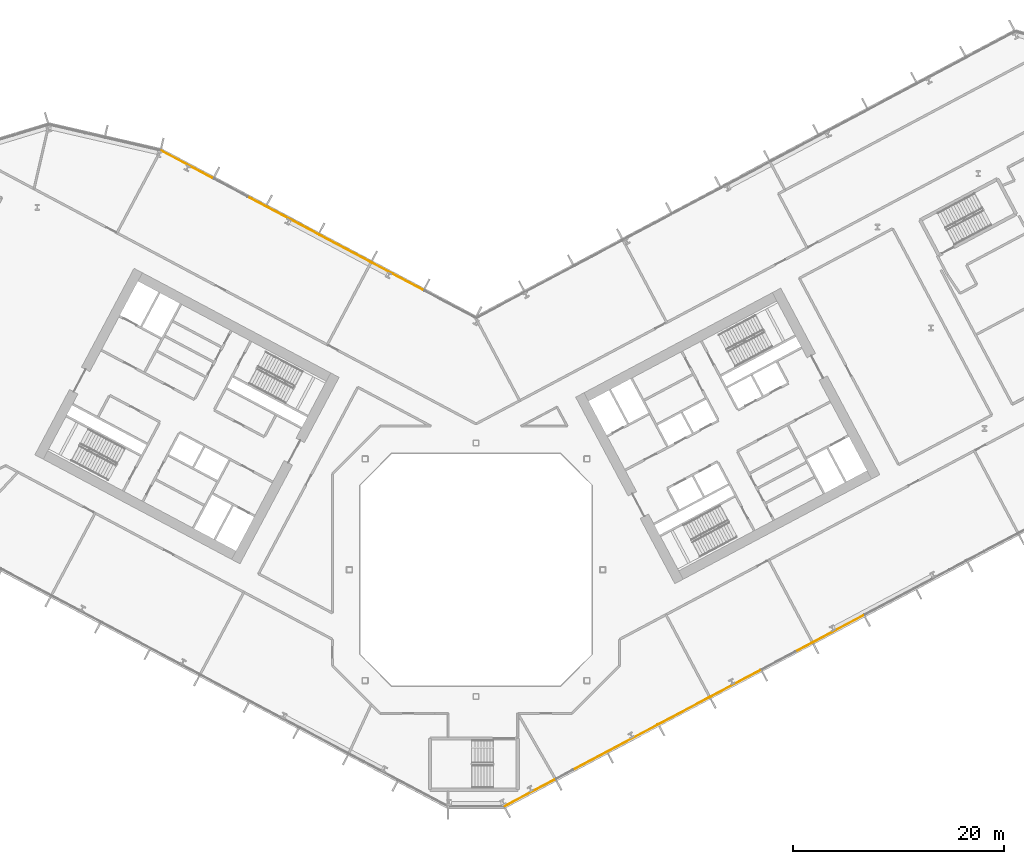
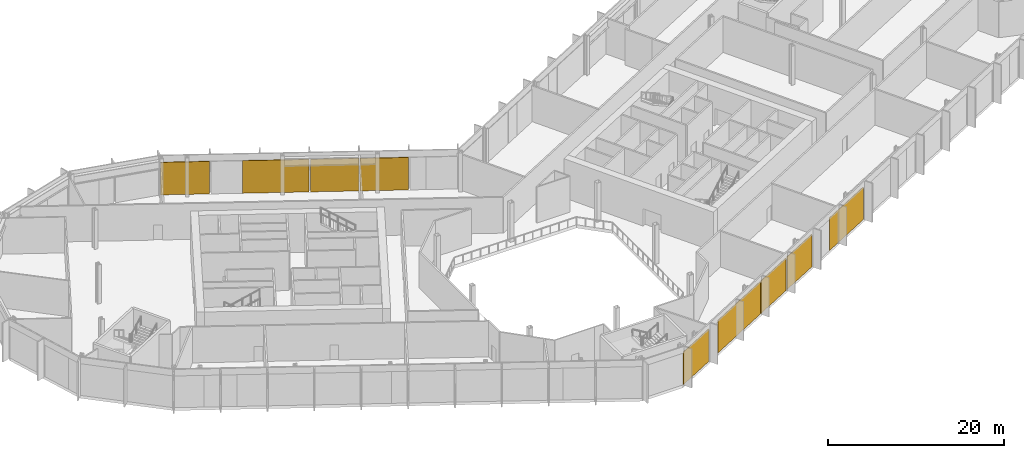
# One storey, part 26 of 31: 9 coverings, 2 elements without a shape of their own.
"""IFC4 building model written with IfcOpenShell, lengths in metres."""

from ifc_helpers import new_model, si_unit, direction, frame, origin, origin_2d, place, context, subcontext, project, spatial, rectangle, extrude, material, layer, layer_set, type_object, element, aggregate, save


model = new_model("IFC4")

# Units and contexts
model_context = context("Model", 3, precision=1e-05, world=origin(), true_north=direction((0.0, 1.0)))
body_context = subcontext(model_context, "Body", "Model", "MODEL_VIEW")
ifc_project = project(units=[si_unit("LENGTHUNIT", "METRE"), si_unit("AREAUNIT", "SQUARE_METRE"), si_unit("VOLUMEUNIT", "CUBIC_METRE"), si_unit("PLANEANGLEUNIT", "RADIAN"), si_unit("MASSUNIT", "GRAM", prefix="KILO")], contexts=[model_context])

# Site, building, storey
site_placement = place(None, origin())
site = spatial("IfcSite", under=ifc_project, at=site_placement, CompositionType="ELEMENT")
building_placement = place(site_placement, origin())
building = spatial("IfcBuilding", under=site, at=building_placement, Name="Cormorant Relay Tower", CompositionType="ELEMENT")
storey_placement = place(building_placement, frame((0.0, 0.0, 33.800048828125)))
storey = spatial("IfcBuildingStorey", under=building, at=storey_placement, Name="L06", CompositionType="ELEMENT", Elevation=33.800048828125)

# Curtain wall, coverings
ifc_material_1 = material(Name="Aluminium 6063-T6 anodised bronze", Category="aluminium")
ifc_layer_1 = layer(ifc_material_1, 0.235107421875)
ifc_layer_set_1 = layer_set([ifc_layer_1], Name="CW6 data hall curtain wall with mineral wool panels")
curtain_wall_type = type_object("IfcCurtainWallType", Name="CW6 data hall curtain wall with mineral wool panels", PredefinedType="NOTDEFINED", material=ifc_layer_set_1)
curtain_wall_1_placement = place(storey_placement, origin())
curtain_wall_1 = element("IfcCurtainWall", 1, at=curtain_wall_1_placement, inside=storey, type_object=curtain_wall_type, Name="CW6 curtain wall 2", PredefinedType="NOTDEFINED")
ifc_material_2 = material(Name="Mineral wool cored anodised bronze aluminium cassette panel", Category="aluminium")
ifc_layer_2 = layer(ifc_material_2, 0.074951171875)
ifc_layer_set_2 = layer_set([ifc_layer_2], Name="CW6 mineral wool cassette panel 75")
covering_type = type_object("IfcCoveringType", Name="CW6 mineral wool cassette panel 75", PredefinedType="CLADDING", material=ifc_layer_set_2)
covering_1_placement = place(storey_placement, frame((5.099853515625, -21.11474609375, 0.0), z_axis=(0.0, 0.0, 1.0), x_axis=(0.882947592859, 0.469471562786, 0.0)))
covering_1 = element("IfcCovering", 2, at=covering_1_placement, type_object=covering_type, Name="CW6 panel S00", PredefinedType="CLADDING", context=body_context, shape_type="SweptSolid", body=[
    extrude(rectangle(XDim=5.36181640625, YDim=0.074951171875, at=origin_2d()), origin(), (0.0, 0.0, 1.0), 4.5),
])
covering_2_placement = place(storey_placement, frame((13.1943359375, -16.810791015625, 0.0), z_axis=(0.0, 0.0, 1.0), x_axis=(0.882947592859, 0.469471562786, 0.0)))
covering_2 = element("IfcCovering", 3, at=covering_2_placement, type_object=covering_type, Name="CW6 panel S02", PredefinedType="CLADDING", context=body_context, shape_type="SweptSolid", body=[
    extrude(rectangle(XDim=9.07373046875, YDim=0.074951171875, at=origin_2d()), origin(), (0.0, 0.0, 1.0), 4.5),
])
covering_3_placement = place(storey_placement, frame((19.69970703125, -13.351806640625, 0.0), z_axis=(0.0, 0.0, 1.0), x_axis=(0.882947592859, 0.469471562786, 0.0)))
covering_3 = element("IfcCovering", 4, at=covering_3_placement, type_object=covering_type, Name="CW6 panel S03", PredefinedType="CLADDING", context=body_context, shape_type="SweptSolid", body=[
    extrude(rectangle(XDim=5.36181640625, YDim=0.074951171875, at=origin_2d()), origin(), (0.0, 0.0, 1.0), 4.5),
])
covering_4_placement = place(storey_placement, frame((24.56640625, -10.76416015625, 0.0), z_axis=(0.0, 0.0, 1.0), x_axis=(0.882947592859, 0.469471562786, 0.0)))
covering_4 = element("IfcCovering", 5, at=covering_4_placement, type_object=covering_type, Name="CW6 panel S04", PredefinedType="CLADDING", context=body_context, shape_type="SweptSolid", body=[
    extrude(rectangle(XDim=5.36181640625, YDim=0.074951171875, at=origin_2d()), origin(), (0.0, 0.0, 1.0), 4.5),
])
covering_5_placement = place(storey_placement, frame((33.455810546875, -6.03759765625, 0.0), z_axis=(0.0, 0.0, 1.0), x_axis=(0.882947592859, 0.469471562786, 0.0)))
covering_5 = element("IfcCovering", 6, at=covering_5_placement, type_object=covering_type, Name="CW6 panel S06", PredefinedType="CLADDING", context=body_context, shape_type="SweptSolid", body=[
    extrude(rectangle(XDim=7.273681640625, YDim=0.074951171875, at=origin_2d()), origin(), (0.0, 0.0, 1.0), 4.5),
])
aggregate(curtain_wall_1, [covering_1, covering_2, covering_3, covering_4, covering_5])

curtain_wall_2_placement = place(storey_placement, origin())
curtain_wall_2 = element("IfcCurtainWall", 7, at=curtain_wall_2_placement, inside=storey, type_object=curtain_wall_type, Name="CW6 curtain wall 7", PredefinedType="NOTDEFINED")
covering_6_placement = place(storey_placement, frame((-7.45068359375, 27.7880859375, 0.0), z_axis=(0.0, 0.0, 1.0), x_axis=(-0.882947592859, 0.469471562786, 0.0)))
covering_6 = element("IfcCovering", 8, at=covering_6_placement, type_object=covering_type, Name="CW6 panel S02", PredefinedType="CLADDING", context=body_context, shape_type="SweptSolid", body=[
    extrude(rectangle(XDim=5.489013671875, YDim=0.074951171875, at=origin_2d()), origin(), (0.0, 0.0, 1.0), 4.5),
])
covering_7_placement = place(storey_placement, frame((-12.4296875, 30.435546875, 0.0), z_axis=(0.0, 0.0, 1.0), x_axis=(-0.882947592859, 0.469471562786, 0.0)))
covering_7 = element("IfcCovering", 9, at=covering_7_placement, type_object=covering_type, Name="CW6 panel S03", PredefinedType="CLADDING", context=body_context, shape_type="SweptSolid", body=[
    extrude(rectangle(XDim=5.489013671875, YDim=0.074951171875, at=origin_2d()), origin(), (0.0, 0.0, 1.0), 4.5),
])
covering_8_placement = place(storey_placement, frame((-18.308837890625, 33.5615234375, 0.0), z_axis=(0.0, 0.0, 1.0), x_axis=(-0.882947592859, 0.469471562786, 0.0)))
covering_8 = element("IfcCovering", 10, at=covering_8_placement, type_object=covering_type, Name="CW6 panel S04", PredefinedType="CLADDING", context=body_context, shape_type="SweptSolid", body=[
    extrude(rectangle(XDim=7.528076171875, YDim=0.074951171875, at=origin_2d()), origin(), (0.0, 0.0, 1.0), 4.5),
])
covering_9_placement = place(storey_placement, frame((-27.39990234375, 38.395263671875, 0.0), z_axis=(0.0, 0.0, 1.0), x_axis=(-0.882947592859, 0.469471562786, 0.0)))
covering_9 = element("IfcCovering", 11, at=covering_9_placement, type_object=covering_type, Name="CW6 panel S06", PredefinedType="CLADDING", context=body_context, shape_type="SweptSolid", body=[
    extrude(rectangle(XDim=5.56396484375, YDim=0.074951171875, at=origin_2d()), origin(), (0.0, 0.0, 1.0), 4.5),
])
aggregate(curtain_wall_2, [covering_6, covering_7, covering_8, covering_9])

save(model, "model.ifc")
